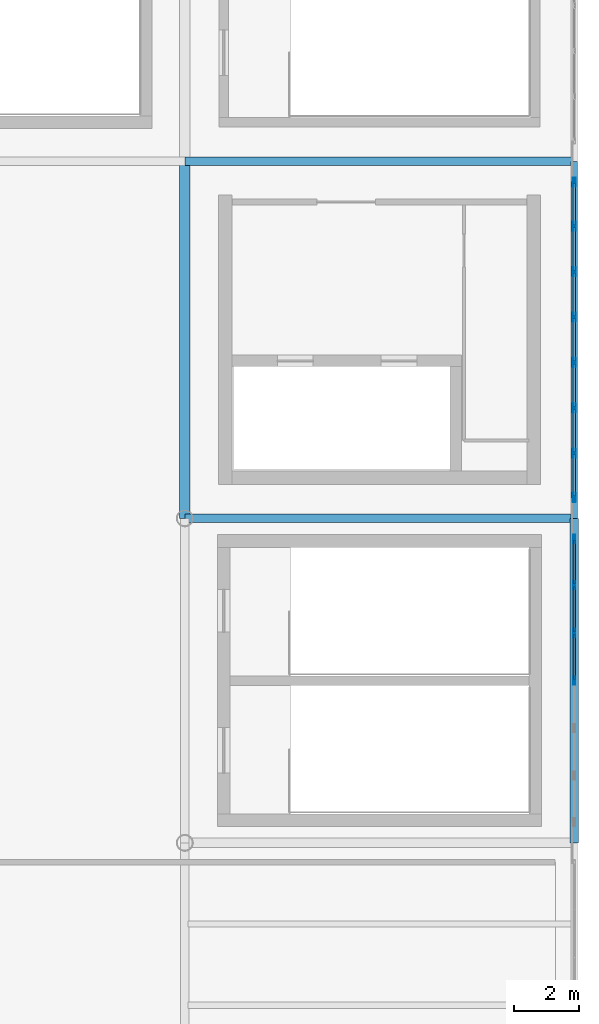
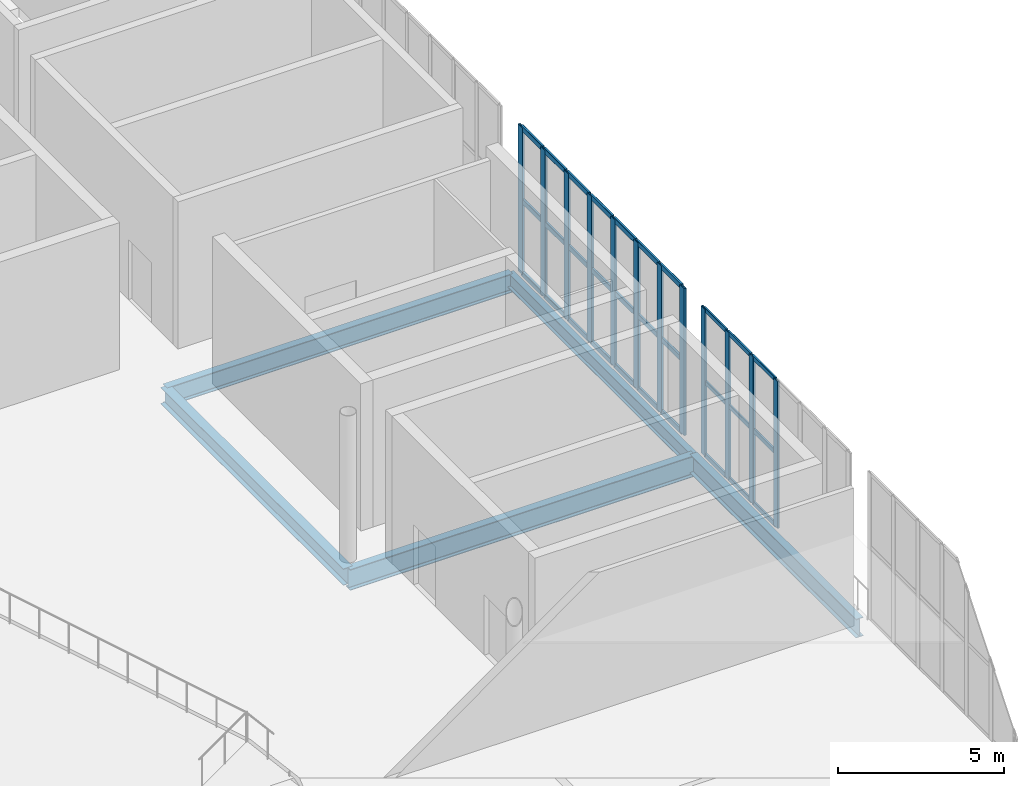
# One storey, part 37 of 74: 42 members, 5 beams, 2 elements without a shape of their own.
"""IFC4 building model written with IfcOpenShell, lengths in metres."""

import ifcopenshell
import ifcopenshell.guid

model = None  # the IFC model being written
_history = None  # IfcOwnerHistory: only IFC2X3 demands one
_inside = {}  # id of a spatial element -> (the spatial element, [elements in it])
_under = {}  # id of a project, library or spatial element -> (it, [spatial elements below it])
_declared = {}  # id of a project -> (the project, [libraries it declares])
_typed = {}  # id of a type object -> (the type object, [elements of that type])
_made_of = {}  # id of a material, layer set ... -> (it, [elements and type objects made of it])


def new_model(schema):
    """Start an empty IFC model of exactly this schema.

    Asked for "IFC4X3", IfcOpenShell would pick the latest addendum, in which some entities
    have other attributes; the version numbers below select the first issue.
    IFC2X3 requires an IfcOwnerHistory on every rooted entity: one is made here for all.
    """
    global model, _history
    if schema == "IFC4X3":
        model = ifcopenshell.file(schema_version=(4, 3, 0, 0))
    else:
        model = ifcopenshell.file(schema=schema)
    _inside.clear()
    _under.clear()
    _declared.clear()
    _typed.clear()
    _made_of.clear()
    _history = None
    if model.schema == "IFC2X3":
        org = make("IfcOrganization", Name="unknown")
        user = make(
            "IfcPersonAndOrganization",
            ThePerson=make("IfcPerson", FamilyName="unknown"),
            TheOrganization=org,
        )
        app = make(
            "IfcApplication",
            ApplicationDeveloper=org,
            Version="unknown",
            ApplicationFullName="unknown",
            ApplicationIdentifier="unknown",
        )
        _history = make(
            "IfcOwnerHistory",
            OwningUser=user,
            OwningApplication=app,
            ChangeAction="ADDED",
            CreationDate=0,
        )
    return model


def make(cls, **values):
    """One entity of the class cls with the attributes given. An attribute that is None is left unset."""
    return model.create_entity(
        cls, **{name: value for name, value in values.items() if value is not None}
    )


def rooted(cls, **values):
    """An entity with a GlobalId (a new one), such as an element, a storey or a relation."""
    return make(cls, GlobalId=ifcopenshell.guid.new(), OwnerHistory=_history, **values)


def si_unit(unit_type, name, prefix=None):
    """IfcSIUnit, for example si_unit("LENGTHUNIT", "METRE", prefix="MILLI")."""
    return make("IfcSIUnit", UnitType=unit_type, Prefix=prefix, Name=name)


def assignment(units):
    """IfcUnitAssignment: the units of a project."""
    return None if units is None else make("IfcUnitAssignment", Units=units)


def point(xyz):
    """IfcCartesianPoint."""
    return None if xyz is None else make("IfcCartesianPoint", Coordinates=xyz)


def direction(xyz):
    """IfcDirection."""
    return None if xyz is None else make("IfcDirection", DirectionRatios=xyz)


def frame(location, z_axis=None, x_axis=None):
    """IfcAxis2Placement3D, a coordinate frame: its origin and axes. An axis left out is left unset."""
    return make(
        "IfcAxis2Placement3D",
        Location=point(location),
        Axis=direction(z_axis),
        RefDirection=direction(x_axis),
    )


def frame_2d(location, x_axis=None):
    """IfcAxis2Placement2D, a coordinate frame in the plane: its origin and x axis."""
    return make(
        "IfcAxis2Placement2D", Location=point(location), RefDirection=direction(x_axis)
    )


def origin():
    """The frame at (0, 0, 0) with its axes left unset."""
    return frame((0.0, 0.0, 0.0))


def origin_2d():
    """The frame at (0, 0) in the plane with its x axis left unset."""
    return frame_2d((0.0, 0.0))


def place(relative_to, where):
    """IfcLocalPlacement: puts the frame where relative to a parent placement (None: the world)."""
    return make(
        "IfcLocalPlacement", PlacementRelTo=relative_to, RelativePlacement=where
    )


def context(
    kind, dimensions, precision=None, world=None, true_north=None, identifier=None
):
    """IfcGeometricRepresentationContext, for example the 3D "Model" context."""
    return make(
        "IfcGeometricRepresentationContext",
        ContextIdentifier=identifier,
        ContextType=kind,
        CoordinateSpaceDimension=dimensions,
        Precision=precision,
        WorldCoordinateSystem=world,
        TrueNorth=true_north,
    )


def subcontext(parent, identifier, kind, view, scale=None):
    """IfcGeometricRepresentationSubContext, for example "Body" below "Model"."""
    return make(
        "IfcGeometricRepresentationSubContext",
        ContextIdentifier=identifier,
        ContextType=kind,
        ParentContext=parent,
        TargetScale=scale,
        TargetView=view,
    )


def project(units=None, contexts=None):
    """IfcProject with its units and contexts."""
    return rooted(
        "IfcProject",
        Name="project",
        RepresentationContexts=contexts,
        UnitsInContext=assignment(units),
    )


def spatial(cls, under=None, at=None, **own):
    """A site, building, storey or space (cls), placed at a placement, below another one or the project."""
    s = rooted(cls, ObjectPlacement=at, **own)
    if under is not None:
        _under.setdefault(under.id(), (under, []))[1].append(s)
    return s


def profile(cls, at=None, kind="AREA", **sizes):
    """A parametric profile (cls). Its sizes go by their IFC names, for example OverallWidth=200.0."""
    return make(cls, ProfileType=kind, Position=at, **sizes)


def hollow_rectangle(**sizes):
    """IfcRectangleHollowProfileDef."""
    return profile("IfcRectangleHollowProfileDef", **sizes)


def i_section(**sizes):
    """IfcIShapeProfileDef."""
    return profile("IfcIShapeProfileDef", **sizes)


def extrude(swept, where, along, depth):
    """IfcExtrudedAreaSolid: the profile swept, set in the frame where, extruded along a direction by depth."""
    return make(
        "IfcExtrudedAreaSolid",
        SweptArea=swept,
        Position=where,
        ExtrudedDirection=direction(along),
        Depth=depth,
    )


def shape(context_of_items, identifier, shape_type, items):
    """IfcShapeRepresentation: the items that make up one representation, for example the "Body"."""
    return make(
        "IfcShapeRepresentation",
        ContextOfItems=context_of_items,
        RepresentationIdentifier=identifier,
        RepresentationType=shape_type,
        Items=items,
    )


def material(Name=None, Category=None):
    """IfcMaterial."""
    return make("IfcMaterial", Name=Name, Category=Category)


def layer(
    of_material, thickness, ventilated=None, Name=None, Category=None, Priority=None
):
    """IfcMaterialLayer: one layer of a wall or slab, of a material (None: an air gap)."""
    return make(
        "IfcMaterialLayer",
        Material=of_material,
        LayerThickness=thickness,
        IsVentilated=ventilated,
        Name=Name,
        Category=Category,
        Priority=Priority,
    )


def layer_set(layers, Name=None):
    """IfcMaterialLayerSet."""
    return make("IfcMaterialLayerSet", MaterialLayers=layers, LayerSetName=Name)


def material_profile(
    of_material, cross_section, Name=None, Category=None, Priority=None
):
    """IfcMaterialProfile: a cross section and its material."""
    return make(
        "IfcMaterialProfile",
        Name=Name,
        Material=of_material,
        Profile=cross_section,
        Priority=Priority,
        Category=Category,
    )


def profile_set(profiles, Name=None, composite=None):
    """IfcMaterialProfileSet."""
    return make(
        "IfcMaterialProfileSet",
        Name=Name,
        MaterialProfiles=profiles,
        CompositeProfile=composite,
    )


def made_of(thing, what):
    """Note that an element or type object is made of a material, layer set ...; save() writes the relation."""
    if what is not None:
        _made_of.setdefault(what.id(), (what, []))[1].append(thing)
    return thing


def type_object(cls, material=None, **own):
    """A type object (cls), such as IfcWallType, which elements share."""
    return made_of(rooted(cls, **own), material)


def element(
    cls,
    number,
    at=None,
    inside=None,
    cuts=None,
    type_object=None,
    material=None,
    context=None,
    identifier="Body",
    shape_type=None,
    held_by="IfcProductDefinitionShape",
    body=None,
    shapes=None,
    **own,
):
    """One element of the class cls, such as IfcWall. Its Tag is "e" and its number.

    at: its placement. inside: the storey or other place that contains it. cuts: it is an
    opening in that element (IfcRelVoidsElement). A single representation is given by context,
    identifier, shape_type and body (its items); several are given by shapes. held_by: the class
    of the entity that holds the representations. save() writes the other relations.
    """
    e = rooted(cls, Tag="e%d" % number, ObjectPlacement=at, **own)
    if body is not None:
        shapes = [shape(context, identifier, shape_type, body)]
    if shapes is not None:
        e.Representation = make(held_by, Representations=shapes)
    if inside is not None:
        _inside.setdefault(inside.id(), (inside, []))[1].append(e)
    if cuts is not None:
        rooted(
            "IfcRelVoidsElement", RelatingBuildingElement=cuts, RelatedOpeningElement=e
        )
    if type_object is not None:
        _typed.setdefault(type_object.id(), (type_object, []))[1].append(e)
    return made_of(e, material)


def aggregate(whole, parts):
    """IfcRelAggregates: a whole, such as a stair, and the parts it consists of."""
    return rooted("IfcRelAggregates", RelatingObject=whole, RelatedObjects=parts)


def save(model, path):
    """Write the relations noted so far, then the file.

    IfcRelAggregates (storeys below a building ...), IfcRelContainedInSpatialStructure (elements
    in a storey), IfcRelDefinesByType, IfcRelAssociatesMaterial and IfcRelDeclares: one each for
    every whole, place, type object, material and project.
    """
    for whole, parts in _under.values():
        aggregate(whole, parts)
    for where, things in _inside.values():
        rooted(
            "IfcRelContainedInSpatialStructure",
            RelatedElements=things,
            RelatingStructure=where,
        )
    for kind, things in _typed.values():
        rooted("IfcRelDefinesByType", RelatedObjects=things, RelatingType=kind)
    for what, things in _made_of.values():
        rooted("IfcRelAssociatesMaterial", RelatedObjects=things, RelatingMaterial=what)
    for by, libraries in _declared.values():
        rooted("IfcRelDeclares", RelatingContext=by, RelatedDefinitions=libraries)
    model.write(path)


model = new_model("IFC4")

# Units and contexts
model_context = context("Model", 3, precision=1e-05, world=origin(), true_north=direction((0.0, 1.0)))
body_context = subcontext(model_context, "Body", "Model", "MODEL_VIEW")
ifc_project = project(units=[si_unit("LENGTHUNIT", "METRE"), si_unit("AREAUNIT", "SQUARE_METRE"), si_unit("VOLUMEUNIT", "CUBIC_METRE"), si_unit("PLANEANGLEUNIT", "RADIAN"), si_unit("MASSUNIT", "GRAM", prefix="KILO")], contexts=[model_context])

# Site, building, storey
site_placement = place(None, origin())
site = spatial("IfcSite", under=ifc_project, at=site_placement, CompositionType="ELEMENT")
building_placement = place(site_placement, origin())
building = spatial("IfcBuilding", under=site, at=building_placement, Name="Brinegate Civic Arena", CompositionType="ELEMENT")
storey_placement = place(building_placement, frame((0.0, 0.0, 19.199951171875)))
storey = spatial("IfcBuildingStorey", under=building, at=storey_placement, Name="L04", CompositionType="ELEMENT", Elevation=19.199951171875)

# Curtain wall, members
ifc_material_1 = material(Name="Marine grade aluminium", Category="aluminium")
ifc_layer = layer(ifc_material_1, 0.199951171875, Name="Marine grade aluminium")
ifc_layer_set = layer_set([ifc_layer], Name="Marine grade aluminium")
curtain_wall_type = type_object("IfcCurtainWallType", Name="CW-BOWL-GLAZED-01", PredefinedType="USERDEFINED", material=ifc_layer_set)
curtain_wall_1_placement = place(storey_placement, origin())
curtain_wall_1 = element("IfcCurtainWall", 1, at=curtain_wall_1_placement, inside=storey, type_object=curtain_wall_type, Name="Curtain Wall CWA-140", ObjectType="GLAZED CURTAIN WALL", PredefinedType="USERDEFINED")
ifc_material_profile_1 = material_profile(ifc_material_1, hollow_rectangle(XDim=0.074951171875, YDim=0.25, WallThickness=0.006103515625, InnerFilletRadius=0.00390625, OuterFilletRadius=0.008056640625, at=origin_2d()), Name="MUL75X250")
ifc_profile_set_1 = profile_set([ifc_material_profile_1], Name="Marine grade aluminium")
member_type_1 = type_object("IfcMemberType", Name="CW-MULLION-75X250", PredefinedType="MULLION", material=ifc_profile_set_1)
member_1_placement = place(storey_placement, frame((168.0, 77.0, 0.0), z_axis=(0.0, 0.0, 1.0), x_axis=(-1.0, 0.0, 0.0)))
member_1 = element("IfcMember", 2, at=member_1_placement, type_object=member_type_1, Name="CWA-140 mullion 4", PredefinedType="MULLION", context=body_context, shape_type="SweptSolid", body=[
    extrude(hollow_rectangle(XDim=0.074951171875, YDim=0.25, WallThickness=0.006103515625, InnerFilletRadius=0.00390625, OuterFilletRadius=0.008056640625, at=origin_2d()), origin(), (0.0, 0.0, 1.0), 5.400146484375),
])
member_2_placement = place(storey_placement, frame((168.0, 78.466552734375, 0.0), z_axis=(0.0, 0.0, 1.0), x_axis=(-1.0, 0.0, 0.0)))
member_2 = element("IfcMember", 3, at=member_2_placement, type_object=member_type_1, Name="CWA-140 mullion 5", PredefinedType="MULLION", context=body_context, shape_type="SweptSolid", body=[
    extrude(hollow_rectangle(XDim=0.074951171875, YDim=0.25, WallThickness=0.006103515625, InnerFilletRadius=0.00390625, OuterFilletRadius=0.008056640625, at=origin_2d()), origin(), (0.0, 0.0, 1.0), 5.400146484375),
])
member_3_placement = place(storey_placement, frame((168.0, 79.933349609375, 0.0), z_axis=(0.0, 0.0, 1.0), x_axis=(-1.0, 0.0, 0.0)))
member_3 = element("IfcMember", 4, at=member_3_placement, type_object=member_type_1, Name="CWA-140 mullion 6", PredefinedType="MULLION", context=body_context, shape_type="SweptSolid", body=[
    extrude(hollow_rectangle(XDim=0.074951171875, YDim=0.25, WallThickness=0.006103515625, InnerFilletRadius=0.00390625, OuterFilletRadius=0.008056640625, at=origin_2d()), origin(), (0.0, 0.0, 1.0), 5.400146484375),
])
member_4_placement = place(storey_placement, frame((168.0, 81.362548828125, 0.0), z_axis=(0.0, 0.0, 1.0), x_axis=(-1.0, 0.0, 0.0)))
member_4 = element("IfcMember", 5, at=member_4_placement, type_object=member_type_1, Name="CWA-140 mullion 7", PredefinedType="MULLION", context=body_context, shape_type="SweptSolid", body=[
    extrude(hollow_rectangle(XDim=0.074951171875, YDim=0.25, WallThickness=0.006103515625, InnerFilletRadius=0.00390625, OuterFilletRadius=0.008056640625, at=origin_2d()), origin(), (0.0, 0.0, 1.0), 5.400146484375),
])

curtain_wall_2_placement = place(storey_placement, origin())
curtain_wall_2 = element("IfcCurtainWall", 6, at=curtain_wall_2_placement, inside=storey, type_object=curtain_wall_type, Name="Curtain Wall CWA-141", ObjectType="GLAZED CURTAIN WALL", PredefinedType="USERDEFINED")
ifc_material_profile_2 = material_profile(ifc_material_1, hollow_rectangle(XDim=0.080078125, YDim=0.280029296875, WallThickness=0.007080078125, InnerFilletRadius=0.0048828125, OuterFilletRadius=0.010009765625, at=origin_2d()), Name="MUL80X280")
ifc_profile_set_2 = profile_set([ifc_material_profile_2], Name="Marine grade aluminium")
member_type_2 = type_object("IfcMemberType", Name="CW-MULLION-80X280", PredefinedType="MULLION", material=ifc_profile_set_2)
member_5_placement = place(storey_placement, frame((168.0, 82.639892578125, 0.0), z_axis=(0.0, 0.0, 1.0), x_axis=(-1.0, 0.0, 0.0)))
member_5 = element("IfcMember", 7, at=member_5_placement, type_object=member_type_2, Name="CWA-141 mullion 1", PredefinedType="MULLION", context=body_context, shape_type="SweptSolid", body=[
    extrude(hollow_rectangle(XDim=0.080078125, YDim=0.280029296875, WallThickness=0.007080078125, InnerFilletRadius=0.0048828125, OuterFilletRadius=0.010009765625, at=origin_2d()), origin(), (0.0, 0.0, 1.0), 5.400146484375),
])
member_6_placement = place(storey_placement, frame((168.0, 84.0, 0.0), z_axis=(0.0, 0.0, 1.0), x_axis=(-1.0, 0.0, 0.0)))
member_6 = element("IfcMember", 8, at=member_6_placement, type_object=member_type_2, Name="CWA-141 mullion 2", PredefinedType="MULLION", context=body_context, shape_type="SweptSolid", body=[
    extrude(hollow_rectangle(XDim=0.080078125, YDim=0.280029296875, WallThickness=0.007080078125, InnerFilletRadius=0.0048828125, OuterFilletRadius=0.010009765625, at=origin_2d()), origin(), (0.0, 0.0, 1.0), 5.400146484375),
])
member_7_placement = place(storey_placement, frame((168.0, 85.39990234375, 0.0), z_axis=(0.0, 0.0, 1.0), x_axis=(-1.0, 0.0, 0.0)))
member_7 = element("IfcMember", 9, at=member_7_placement, type_object=member_type_2, Name="CWA-141 mullion 3", PredefinedType="MULLION", context=body_context, shape_type="SweptSolid", body=[
    extrude(hollow_rectangle(XDim=0.080078125, YDim=0.280029296875, WallThickness=0.007080078125, InnerFilletRadius=0.0048828125, OuterFilletRadius=0.010009765625, at=origin_2d()), origin(), (0.0, 0.0, 1.0), 5.400146484375),
])
member_8_placement = place(storey_placement, frame((168.0, 86.800048828125, 0.0), z_axis=(0.0, 0.0, 1.0), x_axis=(-1.0, 0.0, 0.0)))
member_8 = element("IfcMember", 10, at=member_8_placement, type_object=member_type_2, Name="CWA-141 mullion 4", PredefinedType="MULLION", context=body_context, shape_type="SweptSolid", body=[
    extrude(hollow_rectangle(XDim=0.080078125, YDim=0.280029296875, WallThickness=0.007080078125, InnerFilletRadius=0.0048828125, OuterFilletRadius=0.010009765625, at=origin_2d()), origin(), (0.0, 0.0, 1.0), 5.400146484375),
])
member_9_placement = place(storey_placement, frame((168.0, 88.199951171875, 0.0), z_axis=(0.0, 0.0, 1.0), x_axis=(-1.0, 0.0, 0.0)))
member_9 = element("IfcMember", 11, at=member_9_placement, type_object=member_type_2, Name="CWA-141 mullion 5", PredefinedType="MULLION", context=body_context, shape_type="SweptSolid", body=[
    extrude(hollow_rectangle(XDim=0.080078125, YDim=0.280029296875, WallThickness=0.007080078125, InnerFilletRadius=0.0048828125, OuterFilletRadius=0.010009765625, at=origin_2d()), origin(), (0.0, 0.0, 1.0), 5.400146484375),
])
member_10_placement = place(storey_placement, frame((168.0, 89.60009765625, 0.0), z_axis=(0.0, 0.0, 1.0), x_axis=(-1.0, 0.0, 0.0)))
member_10 = element("IfcMember", 12, at=member_10_placement, type_object=member_type_2, Name="CWA-141 mullion 6", PredefinedType="MULLION", context=body_context, shape_type="SweptSolid", body=[
    extrude(hollow_rectangle(XDim=0.080078125, YDim=0.280029296875, WallThickness=0.007080078125, InnerFilletRadius=0.0048828125, OuterFilletRadius=0.010009765625, at=origin_2d()), origin(), (0.0, 0.0, 1.0), 5.400146484375),
])
member_11_placement = place(storey_placement, frame((168.0, 91.0, 0.0), z_axis=(0.0, 0.0, 1.0), x_axis=(-1.0, 0.0, 0.0)))
member_11 = element("IfcMember", 13, at=member_11_placement, type_object=member_type_2, Name="CWA-141 mullion 7", PredefinedType="MULLION", context=body_context, shape_type="SweptSolid", body=[
    extrude(hollow_rectangle(XDim=0.080078125, YDim=0.280029296875, WallThickness=0.007080078125, InnerFilletRadius=0.0048828125, OuterFilletRadius=0.010009765625, at=origin_2d()), origin(), (0.0, 0.0, 1.0), 5.400146484375),
])
member_12_placement = place(storey_placement, frame((168.0, 92.360107421875, 0.0), z_axis=(0.0, 0.0, 1.0), x_axis=(-1.0, 0.0, 0.0)))
member_12 = element("IfcMember", 14, at=member_12_placement, type_object=member_type_2, Name="CWA-141 mullion 8", PredefinedType="MULLION", context=body_context, shape_type="SweptSolid", body=[
    extrude(hollow_rectangle(XDim=0.080078125, YDim=0.280029296875, WallThickness=0.007080078125, InnerFilletRadius=0.0048828125, OuterFilletRadius=0.010009765625, at=origin_2d()), origin(), (0.0, 0.0, 1.0), 5.400146484375),
])

# Member
ifc_material_profile_3 = material_profile(ifc_material_1, hollow_rectangle(XDim=0.06494140625, YDim=0.1650390625, WallThickness=0.0048828125, InnerFilletRadius=0.00390625, OuterFilletRadius=0.008056640625, at=origin_2d()), Name="TRN65X165")
ifc_profile_set_3 = profile_set([ifc_material_profile_3], Name="Marine grade aluminium")
member_type_3 = type_object("IfcMemberType", Name="CW-TRANSOM-65X165", PredefinedType="USERDEFINED", material=ifc_profile_set_3)
member_13_placement = place(storey_placement, frame((168.0, 77.03759765625, 0.032470703125), z_axis=(0.0, 1.0, 0.0), x_axis=(-1.0, 0.0, 0.0)))
member_13 = element("IfcMember", 15, at=member_13_placement, type_object=member_type_3, Name="CWA-140 transom 4.1", ObjectType="TRANSOM", PredefinedType="USERDEFINED", context=body_context, shape_type="SweptSolid", body=[
    extrude(hollow_rectangle(XDim=0.06494140625, YDim=0.1650390625, WallThickness=0.0048828125, InnerFilletRadius=0.00390625, OuterFilletRadius=0.008056640625, at=origin_2d()), origin(), (0.0, 0.0, 1.0), 1.3916015625),
])

member_14_placement = place(storey_placement, frame((168.0, 77.03759765625, 2.699951171875), z_axis=(0.0, 1.0, 0.0), x_axis=(-1.0, 0.0, 0.0)))
member_14 = element("IfcMember", 16, at=member_14_placement, type_object=member_type_3, Name="CWA-140 transom 4.2", ObjectType="TRANSOM", PredefinedType="USERDEFINED", context=body_context, shape_type="SweptSolid", body=[
    extrude(hollow_rectangle(XDim=0.06494140625, YDim=0.1650390625, WallThickness=0.0048828125, InnerFilletRadius=0.00390625, OuterFilletRadius=0.008056640625, at=origin_2d()), origin(), (0.0, 0.0, 1.0), 1.3916015625),
])

member_15_placement = place(storey_placement, frame((168.0, 77.03759765625, 5.367431640625), z_axis=(0.0, 1.0, 0.0), x_axis=(-1.0, 0.0, 0.0)))
member_15 = element("IfcMember", 17, at=member_15_placement, type_object=member_type_3, Name="CWA-140 transom 4.3", ObjectType="TRANSOM", PredefinedType="USERDEFINED", context=body_context, shape_type="SweptSolid", body=[
    extrude(hollow_rectangle(XDim=0.06494140625, YDim=0.1650390625, WallThickness=0.0048828125, InnerFilletRadius=0.00390625, OuterFilletRadius=0.008056640625, at=origin_2d()), origin(), (0.0, 0.0, 1.0), 1.3916015625),
])

member_16_placement = place(storey_placement, frame((168.0, 78.504150390625, 0.032470703125), z_axis=(0.0, 1.0, 0.0), x_axis=(-1.0, 0.0, 0.0)))
member_16 = element("IfcMember", 18, at=member_16_placement, type_object=member_type_3, Name="CWA-140 transom 5.1", ObjectType="TRANSOM", PredefinedType="USERDEFINED", context=body_context, shape_type="SweptSolid", body=[
    extrude(hollow_rectangle(XDim=0.06494140625, YDim=0.1650390625, WallThickness=0.0048828125, InnerFilletRadius=0.00390625, OuterFilletRadius=0.008056640625, at=origin_2d()), origin(), (0.0, 0.0, 1.0), 1.3916015625),
])

member_17_placement = place(storey_placement, frame((168.0, 78.504150390625, 2.699951171875), z_axis=(0.0, 1.0, 0.0), x_axis=(-1.0, 0.0, 0.0)))
member_17 = element("IfcMember", 19, at=member_17_placement, type_object=member_type_3, Name="CWA-140 transom 5.2", ObjectType="TRANSOM", PredefinedType="USERDEFINED", context=body_context, shape_type="SweptSolid", body=[
    extrude(hollow_rectangle(XDim=0.06494140625, YDim=0.1650390625, WallThickness=0.0048828125, InnerFilletRadius=0.00390625, OuterFilletRadius=0.008056640625, at=origin_2d()), origin(), (0.0, 0.0, 1.0), 1.3916015625),
])

member_18_placement = place(storey_placement, frame((168.0, 78.504150390625, 5.367431640625), z_axis=(0.0, 1.0, 0.0), x_axis=(-1.0, 0.0, 0.0)))
member_18 = element("IfcMember", 20, at=member_18_placement, type_object=member_type_3, Name="CWA-140 transom 5.3", ObjectType="TRANSOM", PredefinedType="USERDEFINED", context=body_context, shape_type="SweptSolid", body=[
    extrude(hollow_rectangle(XDim=0.06494140625, YDim=0.1650390625, WallThickness=0.0048828125, InnerFilletRadius=0.00390625, OuterFilletRadius=0.008056640625, at=origin_2d()), origin(), (0.0, 0.0, 1.0), 1.3916015625),
])

member_19_placement = place(storey_placement, frame((168.0, 79.970947265625, 0.032470703125), z_axis=(0.0, 1.0, 0.0), x_axis=(-1.0, 0.0, 0.0)))
member_19 = element("IfcMember", 21, at=member_19_placement, type_object=member_type_3, Name="CWA-140 transom 6.1", ObjectType="TRANSOM", PredefinedType="USERDEFINED", context=body_context, shape_type="SweptSolid", body=[
    extrude(hollow_rectangle(XDim=0.06494140625, YDim=0.1650390625, WallThickness=0.0048828125, InnerFilletRadius=0.00390625, OuterFilletRadius=0.008056640625, at=origin_2d()), origin(), (0.0, 0.0, 1.0), 1.35400390625),
])

member_20_placement = place(storey_placement, frame((168.0, 79.970947265625, 2.699951171875), z_axis=(0.0, 1.0, 0.0), x_axis=(-1.0, 0.0, 0.0)))
member_20 = element("IfcMember", 22, at=member_20_placement, type_object=member_type_3, Name="CWA-140 transom 6.2", ObjectType="TRANSOM", PredefinedType="USERDEFINED", context=body_context, shape_type="SweptSolid", body=[
    extrude(hollow_rectangle(XDim=0.06494140625, YDim=0.1650390625, WallThickness=0.0048828125, InnerFilletRadius=0.00390625, OuterFilletRadius=0.008056640625, at=origin_2d()), origin(), (0.0, 0.0, 1.0), 1.35400390625),
])

member_21_placement = place(storey_placement, frame((168.0, 79.970947265625, 5.367431640625), z_axis=(0.0, 1.0, 0.0), x_axis=(-1.0, 0.0, 0.0)))
member_21 = element("IfcMember", 23, at=member_21_placement, type_object=member_type_3, Name="CWA-140 transom 6.3", ObjectType="TRANSOM", PredefinedType="USERDEFINED", context=body_context, shape_type="SweptSolid", body=[
    extrude(hollow_rectangle(XDim=0.06494140625, YDim=0.1650390625, WallThickness=0.0048828125, InnerFilletRadius=0.00390625, OuterFilletRadius=0.008056640625, at=origin_2d()), origin(), (0.0, 0.0, 1.0), 1.35400390625),
])

aggregate(curtain_wall_1, [member_1, member_2, member_3, member_4, member_13, member_14, member_15, member_16, member_17, member_18, member_19, member_20, member_21])

ifc_material_profile_4 = material_profile(ifc_material_1, hollow_rectangle(XDim=0.074951171875, YDim=0.18994140625, WallThickness=0.006103515625, InnerFilletRadius=0.00390625, OuterFilletRadius=0.008056640625, at=origin_2d()), Name="TRN75X190")
ifc_profile_set_4 = profile_set([ifc_material_profile_4], Name="Marine grade aluminium")
member_type_4 = type_object("IfcMemberType", Name="CW-TRANSOM-75X190", PredefinedType="USERDEFINED", material=ifc_profile_set_4)
member_22_placement = place(storey_placement, frame((168.0, 82.679931640625, 0.03759765625), z_axis=(0.0, 1.0, 0.0), x_axis=(-1.0, 0.0, 0.0)))
member_22 = element("IfcMember", 24, at=member_22_placement, type_object=member_type_4, Name="CWA-141 transom 1.1", ObjectType="TRANSOM", PredefinedType="USERDEFINED", context=body_context, shape_type="SweptSolid", body=[
    extrude(hollow_rectangle(XDim=0.074951171875, YDim=0.18994140625, WallThickness=0.006103515625, InnerFilletRadius=0.00390625, OuterFilletRadius=0.008056640625, at=origin_2d()), origin(), (0.0, 0.0, 1.0), 1.280029296875),
])

member_23_placement = place(storey_placement, frame((168.0, 82.679931640625, 2.699951171875), z_axis=(0.0, 1.0, 0.0), x_axis=(-1.0, 0.0, 0.0)))
member_23 = element("IfcMember", 25, at=member_23_placement, type_object=member_type_4, Name="CWA-141 transom 1.2", ObjectType="TRANSOM", PredefinedType="USERDEFINED", context=body_context, shape_type="SweptSolid", body=[
    extrude(hollow_rectangle(XDim=0.074951171875, YDim=0.18994140625, WallThickness=0.006103515625, InnerFilletRadius=0.00390625, OuterFilletRadius=0.008056640625, at=origin_2d()), origin(), (0.0, 0.0, 1.0), 1.280029296875),
])

member_24_placement = place(storey_placement, frame((168.0, 82.679931640625, 5.362548828125), z_axis=(0.0, 1.0, 0.0), x_axis=(-1.0, 0.0, 0.0)))
member_24 = element("IfcMember", 26, at=member_24_placement, type_object=member_type_4, Name="CWA-141 transom 1.3", ObjectType="TRANSOM", PredefinedType="USERDEFINED", context=body_context, shape_type="SweptSolid", body=[
    extrude(hollow_rectangle(XDim=0.074951171875, YDim=0.18994140625, WallThickness=0.006103515625, InnerFilletRadius=0.00390625, OuterFilletRadius=0.008056640625, at=origin_2d()), origin(), (0.0, 0.0, 1.0), 1.280029296875),
])

member_25_placement = place(storey_placement, frame((168.0, 84.0400390625, 0.03759765625), z_axis=(0.0, 1.0, 0.0), x_axis=(-1.0, 0.0, 0.0)))
member_25 = element("IfcMember", 27, at=member_25_placement, type_object=member_type_4, Name="CWA-141 transom 2.1", ObjectType="TRANSOM", PredefinedType="USERDEFINED", context=body_context, shape_type="SweptSolid", body=[
    extrude(hollow_rectangle(XDim=0.074951171875, YDim=0.18994140625, WallThickness=0.006103515625, InnerFilletRadius=0.00390625, OuterFilletRadius=0.008056640625, at=origin_2d()), origin(), (0.0, 0.0, 1.0), 1.320068359375),
])

member_26_placement = place(storey_placement, frame((168.0, 84.0400390625, 2.699951171875), z_axis=(0.0, 1.0, 0.0), x_axis=(-1.0, 0.0, 0.0)))
member_26 = element("IfcMember", 28, at=member_26_placement, type_object=member_type_4, Name="CWA-141 transom 2.2", ObjectType="TRANSOM", PredefinedType="USERDEFINED", context=body_context, shape_type="SweptSolid", body=[
    extrude(hollow_rectangle(XDim=0.074951171875, YDim=0.18994140625, WallThickness=0.006103515625, InnerFilletRadius=0.00390625, OuterFilletRadius=0.008056640625, at=origin_2d()), origin(), (0.0, 0.0, 1.0), 1.320068359375),
])

member_27_placement = place(storey_placement, frame((168.0, 84.0400390625, 5.362548828125), z_axis=(0.0, 1.0, 0.0), x_axis=(-1.0, 0.0, 0.0)))
member_27 = element("IfcMember", 29, at=member_27_placement, type_object=member_type_4, Name="CWA-141 transom 2.3", ObjectType="TRANSOM", PredefinedType="USERDEFINED", context=body_context, shape_type="SweptSolid", body=[
    extrude(hollow_rectangle(XDim=0.074951171875, YDim=0.18994140625, WallThickness=0.006103515625, InnerFilletRadius=0.00390625, OuterFilletRadius=0.008056640625, at=origin_2d()), origin(), (0.0, 0.0, 1.0), 1.320068359375),
])

member_28_placement = place(storey_placement, frame((168.0, 85.43994140625, 0.03759765625), z_axis=(0.0, 1.0, 0.0), x_axis=(-1.0, 0.0, 0.0)))
member_28 = element("IfcMember", 30, at=member_28_placement, type_object=member_type_4, Name="CWA-141 transom 3.1", ObjectType="TRANSOM", PredefinedType="USERDEFINED", context=body_context, shape_type="SweptSolid", body=[
    extrude(hollow_rectangle(XDim=0.074951171875, YDim=0.18994140625, WallThickness=0.006103515625, InnerFilletRadius=0.00390625, OuterFilletRadius=0.008056640625, at=origin_2d()), origin(), (0.0, 0.0, 1.0), 1.320068359375),
])

member_29_placement = place(storey_placement, frame((168.0, 85.43994140625, 2.699951171875), z_axis=(0.0, 1.0, 0.0), x_axis=(-1.0, 0.0, 0.0)))
member_29 = element("IfcMember", 31, at=member_29_placement, type_object=member_type_4, Name="CWA-141 transom 3.2", ObjectType="TRANSOM", PredefinedType="USERDEFINED", context=body_context, shape_type="SweptSolid", body=[
    extrude(hollow_rectangle(XDim=0.074951171875, YDim=0.18994140625, WallThickness=0.006103515625, InnerFilletRadius=0.00390625, OuterFilletRadius=0.008056640625, at=origin_2d()), origin(), (0.0, 0.0, 1.0), 1.320068359375),
])

member_30_placement = place(storey_placement, frame((168.0, 85.43994140625, 5.362548828125), z_axis=(0.0, 1.0, 0.0), x_axis=(-1.0, 0.0, 0.0)))
member_30 = element("IfcMember", 32, at=member_30_placement, type_object=member_type_4, Name="CWA-141 transom 3.3", ObjectType="TRANSOM", PredefinedType="USERDEFINED", context=body_context, shape_type="SweptSolid", body=[
    extrude(hollow_rectangle(XDim=0.074951171875, YDim=0.18994140625, WallThickness=0.006103515625, InnerFilletRadius=0.00390625, OuterFilletRadius=0.008056640625, at=origin_2d()), origin(), (0.0, 0.0, 1.0), 1.320068359375),
])

member_31_placement = place(storey_placement, frame((168.0, 86.840087890625, 0.03759765625), z_axis=(0.0, 1.0, 0.0), x_axis=(-1.0, 0.0, 0.0)))
member_31 = element("IfcMember", 33, at=member_31_placement, type_object=member_type_4, Name="CWA-141 transom 4.1", ObjectType="TRANSOM", PredefinedType="USERDEFINED", context=body_context, shape_type="SweptSolid", body=[
    extrude(hollow_rectangle(XDim=0.074951171875, YDim=0.18994140625, WallThickness=0.006103515625, InnerFilletRadius=0.00390625, OuterFilletRadius=0.008056640625, at=origin_2d()), origin(), (0.0, 0.0, 1.0), 1.31982421875),
])

member_32_placement = place(storey_placement, frame((168.0, 86.840087890625, 2.699951171875), z_axis=(0.0, 1.0, 0.0), x_axis=(-1.0, 0.0, 0.0)))
member_32 = element("IfcMember", 34, at=member_32_placement, type_object=member_type_4, Name="CWA-141 transom 4.2", ObjectType="TRANSOM", PredefinedType="USERDEFINED", context=body_context, shape_type="SweptSolid", body=[
    extrude(hollow_rectangle(XDim=0.074951171875, YDim=0.18994140625, WallThickness=0.006103515625, InnerFilletRadius=0.00390625, OuterFilletRadius=0.008056640625, at=origin_2d()), origin(), (0.0, 0.0, 1.0), 1.31982421875),
])

member_33_placement = place(storey_placement, frame((168.0, 86.840087890625, 5.362548828125), z_axis=(0.0, 1.0, 0.0), x_axis=(-1.0, 0.0, 0.0)))
member_33 = element("IfcMember", 35, at=member_33_placement, type_object=member_type_4, Name="CWA-141 transom 4.3", ObjectType="TRANSOM", PredefinedType="USERDEFINED", context=body_context, shape_type="SweptSolid", body=[
    extrude(hollow_rectangle(XDim=0.074951171875, YDim=0.18994140625, WallThickness=0.006103515625, InnerFilletRadius=0.00390625, OuterFilletRadius=0.008056640625, at=origin_2d()), origin(), (0.0, 0.0, 1.0), 1.31982421875),
])

member_34_placement = place(storey_placement, frame((168.0, 88.239990234375, 0.03759765625), z_axis=(0.0, 1.0, 0.0), x_axis=(-1.0, 0.0, 0.0)))
member_34 = element("IfcMember", 36, at=member_34_placement, type_object=member_type_4, Name="CWA-141 transom 5.1", ObjectType="TRANSOM", PredefinedType="USERDEFINED", context=body_context, shape_type="SweptSolid", body=[
    extrude(hollow_rectangle(XDim=0.074951171875, YDim=0.18994140625, WallThickness=0.006103515625, InnerFilletRadius=0.00390625, OuterFilletRadius=0.008056640625, at=origin_2d()), origin(), (0.0, 0.0, 1.0), 1.320068359375),
])

member_35_placement = place(storey_placement, frame((168.0, 88.239990234375, 2.699951171875), z_axis=(0.0, 1.0, 0.0), x_axis=(-1.0, 0.0, 0.0)))
member_35 = element("IfcMember", 37, at=member_35_placement, type_object=member_type_4, Name="CWA-141 transom 5.2", ObjectType="TRANSOM", PredefinedType="USERDEFINED", context=body_context, shape_type="SweptSolid", body=[
    extrude(hollow_rectangle(XDim=0.074951171875, YDim=0.18994140625, WallThickness=0.006103515625, InnerFilletRadius=0.00390625, OuterFilletRadius=0.008056640625, at=origin_2d()), origin(), (0.0, 0.0, 1.0), 1.320068359375),
])

member_36_placement = place(storey_placement, frame((168.0, 88.239990234375, 5.362548828125), z_axis=(0.0, 1.0, 0.0), x_axis=(-1.0, 0.0, 0.0)))
member_36 = element("IfcMember", 38, at=member_36_placement, type_object=member_type_4, Name="CWA-141 transom 5.3", ObjectType="TRANSOM", PredefinedType="USERDEFINED", context=body_context, shape_type="SweptSolid", body=[
    extrude(hollow_rectangle(XDim=0.074951171875, YDim=0.18994140625, WallThickness=0.006103515625, InnerFilletRadius=0.00390625, OuterFilletRadius=0.008056640625, at=origin_2d()), origin(), (0.0, 0.0, 1.0), 1.320068359375),
])

member_37_placement = place(storey_placement, frame((168.0, 89.639892578125, 0.03759765625), z_axis=(0.0, 1.0, 0.0), x_axis=(-1.0, 0.0, 0.0)))
member_37 = element("IfcMember", 39, at=member_37_placement, type_object=member_type_4, Name="CWA-141 transom 6.1", ObjectType="TRANSOM", PredefinedType="USERDEFINED", context=body_context, shape_type="SweptSolid", body=[
    extrude(hollow_rectangle(XDim=0.074951171875, YDim=0.18994140625, WallThickness=0.006103515625, InnerFilletRadius=0.00390625, OuterFilletRadius=0.008056640625, at=origin_2d()), origin(), (0.0, 0.0, 1.0), 1.320068359375),
])

member_38_placement = place(storey_placement, frame((168.0, 89.639892578125, 2.699951171875), z_axis=(0.0, 1.0, 0.0), x_axis=(-1.0, 0.0, 0.0)))
member_38 = element("IfcMember", 40, at=member_38_placement, type_object=member_type_4, Name="CWA-141 transom 6.2", ObjectType="TRANSOM", PredefinedType="USERDEFINED", context=body_context, shape_type="SweptSolid", body=[
    extrude(hollow_rectangle(XDim=0.074951171875, YDim=0.18994140625, WallThickness=0.006103515625, InnerFilletRadius=0.00390625, OuterFilletRadius=0.008056640625, at=origin_2d()), origin(), (0.0, 0.0, 1.0), 1.320068359375),
])

member_39_placement = place(storey_placement, frame((168.0, 89.639892578125, 5.362548828125), z_axis=(0.0, 1.0, 0.0), x_axis=(-1.0, 0.0, 0.0)))
member_39 = element("IfcMember", 41, at=member_39_placement, type_object=member_type_4, Name="CWA-141 transom 6.3", ObjectType="TRANSOM", PredefinedType="USERDEFINED", context=body_context, shape_type="SweptSolid", body=[
    extrude(hollow_rectangle(XDim=0.074951171875, YDim=0.18994140625, WallThickness=0.006103515625, InnerFilletRadius=0.00390625, OuterFilletRadius=0.008056640625, at=origin_2d()), origin(), (0.0, 0.0, 1.0), 1.320068359375),
])

member_40_placement = place(storey_placement, frame((168.0, 91.0400390625, 0.03759765625), z_axis=(0.0, 1.0, 0.0), x_axis=(-1.0, 0.0, 0.0)))
member_40 = element("IfcMember", 42, at=member_40_placement, type_object=member_type_4, Name="CWA-141 transom 7.1", ObjectType="TRANSOM", PredefinedType="USERDEFINED", context=body_context, shape_type="SweptSolid", body=[
    extrude(hollow_rectangle(XDim=0.074951171875, YDim=0.18994140625, WallThickness=0.006103515625, InnerFilletRadius=0.00390625, OuterFilletRadius=0.008056640625, at=origin_2d()), origin(), (0.0, 0.0, 1.0), 1.280029296875),
])

member_41_placement = place(storey_placement, frame((168.0, 91.0400390625, 2.699951171875), z_axis=(0.0, 1.0, 0.0), x_axis=(-1.0, 0.0, 0.0)))
member_41 = element("IfcMember", 43, at=member_41_placement, type_object=member_type_4, Name="CWA-141 transom 7.2", ObjectType="TRANSOM", PredefinedType="USERDEFINED", context=body_context, shape_type="SweptSolid", body=[
    extrude(hollow_rectangle(XDim=0.074951171875, YDim=0.18994140625, WallThickness=0.006103515625, InnerFilletRadius=0.00390625, OuterFilletRadius=0.008056640625, at=origin_2d()), origin(), (0.0, 0.0, 1.0), 1.280029296875),
])

member_42_placement = place(storey_placement, frame((168.0, 91.0400390625, 5.362548828125), z_axis=(0.0, 1.0, 0.0), x_axis=(-1.0, 0.0, 0.0)))
member_42 = element("IfcMember", 44, at=member_42_placement, type_object=member_type_4, Name="CWA-141 transom 7.3", ObjectType="TRANSOM", PredefinedType="USERDEFINED", context=body_context, shape_type="SweptSolid", body=[
    extrude(hollow_rectangle(XDim=0.074951171875, YDim=0.18994140625, WallThickness=0.006103515625, InnerFilletRadius=0.00390625, OuterFilletRadius=0.008056640625, at=origin_2d()), origin(), (0.0, 0.0, 1.0), 1.280029296875),
])

aggregate(curtain_wall_2, [member_5, member_6, member_7, member_8, member_9, member_10, member_11, member_12, member_22, member_23, member_24, member_25, member_26, member_27, member_28, member_29, member_30, member_31, member_32, member_33, member_34, member_35, member_36, member_37, member_38, member_39, member_40, member_41, member_42])

# Beams
ifc_material_2 = material(Name="Steel S355", Category="steel")
ifc_material_profile_5 = material_profile(ifc_material_2, i_section(OverallWidth=0.323974609375, OverallDepth=0.611083984375, WebThickness=0.012939453125, FlangeThickness=0.01904296875, FilletRadius=0.01611328125, at=origin_2d()), Name="W610X155")
ifc_profile_set_5 = profile_set([ifc_material_profile_5], Name="Steel S355")
beam_type_1 = type_object("IfcBeamType", Name="GIRDER-W610X155", PredefinedType="BEAM", material=ifc_profile_set_5)
beam_1_placement = place(storey_placement, frame((156.0, 82.0, -0.64501953125), z_axis=(0.0, 1.0, 0.0), x_axis=(-1.0, 0.0, 0.0)))
element("IfcBeam", 45, at=beam_1_placement, inside=storey, type_object=beam_type_1, Name="Floor Girder BM-L04-GY-13-08", PredefinedType="BEAM", context=body_context, shape_type="SweptSolid", body=[
    extrude(i_section(OverallWidth=0.323974609375, OverallDepth=0.611083984375, WebThickness=0.012939453125, FlangeThickness=0.01904296875, FilletRadius=0.01611328125, at=origin_2d()), origin(), (0.0, 0.0, 1.0), 11.0),
])
ifc_material_profile_6 = material_profile(ifc_material_2, i_section(OverallWidth=0.256103515625, OverallDepth=0.693115234375, WebThickness=0.014892578125, FlangeThickness=0.02392578125, FilletRadius=0.01806640625, at=origin_2d()), Name="W690X170")
ifc_profile_set_6 = profile_set([ifc_material_profile_6], Name="Steel S355")
beam_type_2 = type_object("IfcBeamType", Name="GIRDER-W690X170", PredefinedType="BEAM", material=ifc_profile_set_6)
beam_2_placement = place(storey_placement, frame((156.0, 93.0, -0.68603515625), z_axis=(1.0, 0.0, 0.0), x_axis=(0.0, 1.0, 0.0)))
element("IfcBeam", 46, at=beam_2_placement, inside=storey, type_object=beam_type_2, Name="Floor Girder BM-L04-GX-13-09", PredefinedType="BEAM", context=body_context, shape_type="SweptSolid", body=[
    extrude(i_section(OverallWidth=0.256103515625, OverallDepth=0.693115234375, WebThickness=0.014892578125, FlangeThickness=0.02392578125, FilletRadius=0.01806640625, at=origin_2d()), origin(), (0.0, 0.0, 1.0), 12.0),
])
ifc_material_profile_7 = material_profile(ifc_material_2, i_section(OverallWidth=0.26806640625, OverallDepth=0.77001953125, WebThickness=0.01611328125, FlangeThickness=0.02490234375, FilletRadius=0.02001953125, at=origin_2d()), Name="W760X196")
ifc_profile_set_7 = profile_set([ifc_material_profile_7], Name="Steel S355")
beam_type_3 = type_object("IfcBeamType", Name="GIRDER-W760X196", PredefinedType="BEAM", material=ifc_profile_set_7)
beam_3_placement = place(storey_placement, frame((156.0, 82.0, -0.724853515625), z_axis=(1.0, 0.0, 0.0), x_axis=(0.0, 1.0, 0.0)))
element("IfcBeam", 47, at=beam_3_placement, inside=storey, type_object=beam_type_3, Name="Floor Girder BM-L04-GX-13-08", PredefinedType="BEAM", context=body_context, shape_type="SweptSolid", body=[
    extrude(i_section(OverallWidth=0.26806640625, OverallDepth=0.77001953125, WebThickness=0.01611328125, FlangeThickness=0.02490234375, FilletRadius=0.02001953125, at=origin_2d()), origin(), (0.0, 0.0, 1.0), 12.0),
])
ifc_material_profile_8 = material_profile(ifc_material_2, i_section(OverallWidth=0.2119140625, OverallDepth=0.5439453125, WebThickness=0.012939453125, FlangeThickness=0.02099609375, FilletRadius=0.01611328125, at=origin_2d()), Name="W530X123")
ifc_profile_set_8 = profile_set([ifc_material_profile_8], Name="Steel S355")
beam_type_4 = type_object("IfcBeamType", Name="SPANDREL-W530X123", PredefinedType="SPANDREL", material=ifc_profile_set_8)
beam_4_placement = place(storey_placement, frame((168.0, 82.0, -0.612060546875), z_axis=(0.0, 1.0, 0.0), x_axis=(-1.0, 0.0, 0.0)))
element("IfcBeam", 48, at=beam_4_placement, inside=storey, type_object=beam_type_4, Name="Floor Girder BM-L04-GY-14-08", PredefinedType="SPANDREL", context=body_context, shape_type="SweptSolid", body=[
    extrude(i_section(OverallWidth=0.2119140625, OverallDepth=0.5439453125, WebThickness=0.012939453125, FlangeThickness=0.02099609375, FilletRadius=0.01611328125, at=origin_2d()), origin(), (0.0, 0.0, 1.0), 11.0),
])
ifc_material_profile_9 = material_profile(ifc_material_2, i_section(OverallWidth=0.256103515625, OverallDepth=0.693115234375, WebThickness=0.014892578125, FlangeThickness=0.02392578125, FilletRadius=0.01806640625, at=origin_2d()), Name="W690X170")
ifc_profile_set_9 = profile_set([ifc_material_profile_9], Name="Steel S355")
beam_type_5 = type_object("IfcBeamType", Name="SPANDREL-W690X170", PredefinedType="SPANDREL", material=ifc_profile_set_9)
beam_5_placement = place(storey_placement, frame((168.0, 72.0, -0.68603515625), z_axis=(0.0, 1.0, 0.0), x_axis=(-1.0, 0.0, 0.0)))
element("IfcBeam", 49, at=beam_5_placement, inside=storey, type_object=beam_type_5, Name="Floor Girder BM-L04-GY-14-07", PredefinedType="SPANDREL", context=body_context, shape_type="SweptSolid", body=[
    extrude(i_section(OverallWidth=0.256103515625, OverallDepth=0.693115234375, WebThickness=0.014892578125, FlangeThickness=0.02392578125, FilletRadius=0.01806640625, at=origin_2d()), origin(), (0.0, 0.0, 1.0), 10.0),
])

save(model, "model.ifc")
